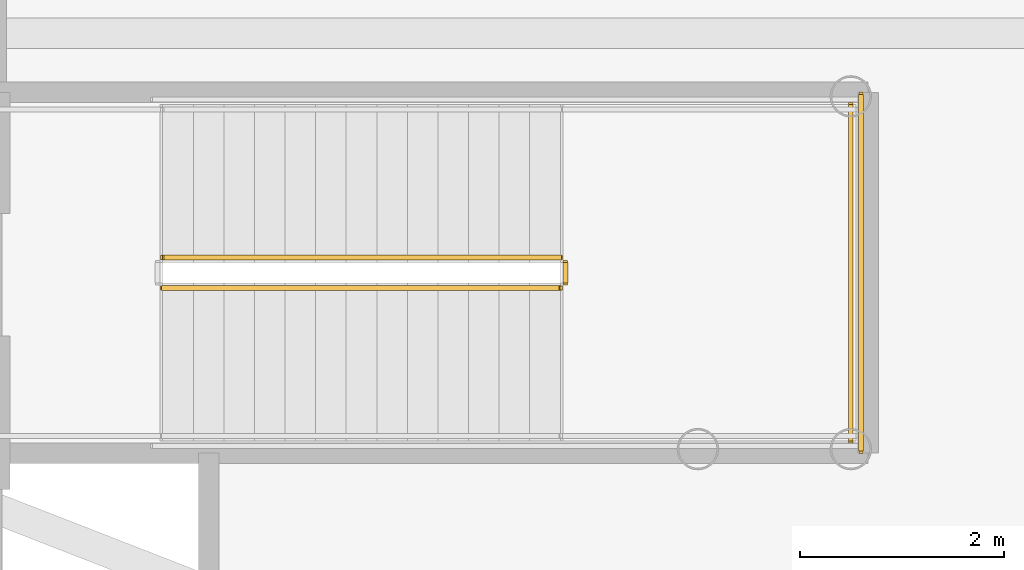
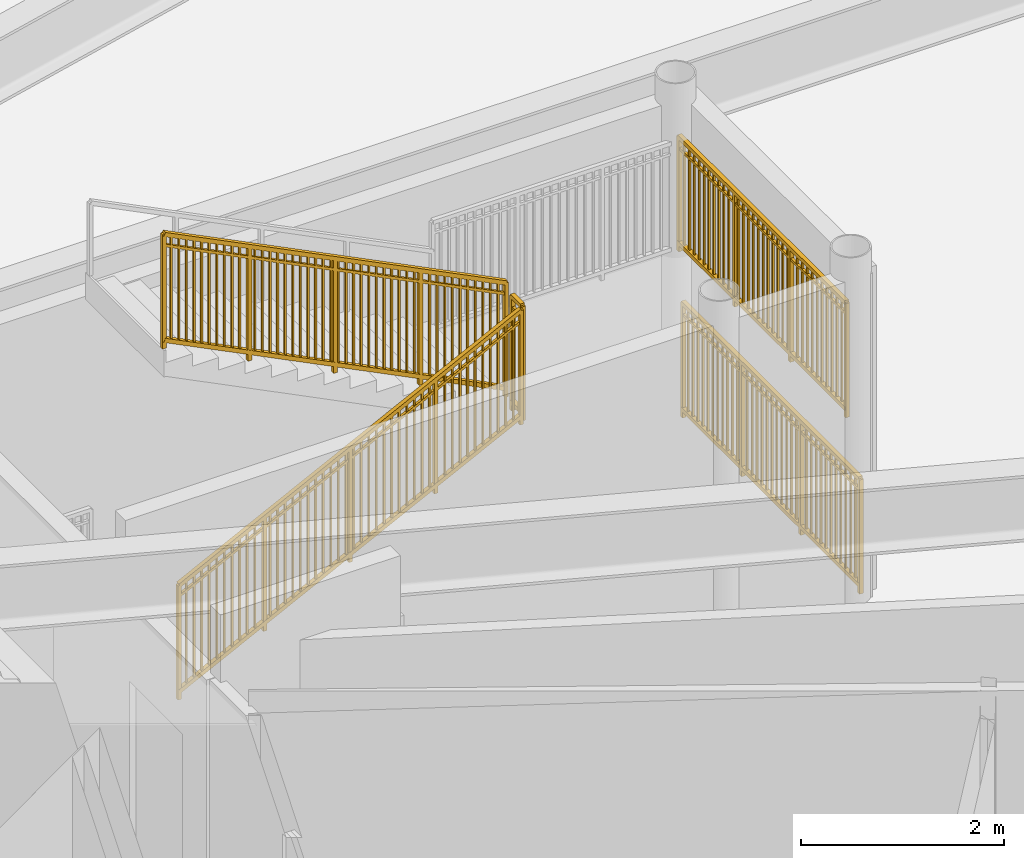
# One storey, part 26 of 27: 5 railings.
"""IFC4 building model written with IfcOpenShell, lengths in metres."""

from ifc_helpers import new_model, si_unit, direction, frame, origin, origin_2d, place, context, subcontext, project, spatial, rectangle, extrude, source, transform, mapped, material, type_object, element, save


model = new_model("IFC4")

# Units and contexts
model_context = context("Model", 3, precision=1e-05, world=origin(), true_north=direction((0.0, 1.0)))
body_context = subcontext(model_context, "Body", "Model", "MODEL_VIEW")
ifc_project = project(units=[si_unit("LENGTHUNIT", "METRE"), si_unit("AREAUNIT", "SQUARE_METRE"), si_unit("VOLUMEUNIT", "CUBIC_METRE"), si_unit("PLANEANGLEUNIT", "RADIAN"), si_unit("MASSUNIT", "GRAM", prefix="KILO")], contexts=[model_context])

# Site, building, storey
site_placement = place(None, origin())
site = spatial("IfcSite", under=ifc_project, at=site_placement, CompositionType="ELEMENT")
building_placement = place(site_placement, origin())
building = spatial("IfcBuilding", under=site, at=building_placement, Name="Linh Dai School and Residence Tower", CompositionType="ELEMENT")
storey_placement = place(building_placement, frame((0.0, 0.0, 18.60009765625)))
storey = spatial("IfcBuildingStorey", under=building, at=storey_placement, Name="L04", CompositionType="ELEMENT", Elevation=18.60009765625)

# Railings
ifc_material = material(Name="Structural Steel S355JR", Category="steel")
railing_type = type_object("IfcRailingType", Name="RL-ST-GUARD-1400", PredefinedType="GUARDRAIL", material=ifc_material)
shared_shape_1 = source(origin(), body_context, "Body", "SweptSolid", [
    extrude(rectangle(XDim=0.048095703125, YDim=0.048095703125, at=origin_2d()), frame((0.0, 0.0, 1.3759765625), z_axis=(0.894427191, 0.0, 0.4472135955), x_axis=(0.0, 1.0, 0.0)), (0.0, 0.0, 1.0), 4.360107421875),
    extrude(rectangle(XDim=0.048095703125, YDim=0.048095703125, at=origin_2d()), frame((0.0, 0.0, 0.10009765625), z_axis=(0.894427191, 0.0, 0.4472135955), x_axis=(0.0, 1.0, 0.0)), (0.0, 0.0, 1.0), 4.360107421875),
    extrude(rectangle(XDim=0.030029296875, YDim=0.030029296875, at=origin_2d()), frame((0.0, 0.0, 1.239990234375), z_axis=(0.894427191, 0.0, 0.4472135955), x_axis=(0.0, 1.0, 0.0)), (0.0, 0.0, 1.0), 4.360107421875),
    extrude(rectangle(XDim=0.02001953125, YDim=0.02001953125, at=origin_2d()), frame((0.086669921875, 0.0, 0.143310546875)), (0.0, 0.0, 1.0), 1.251708984375),
    extrude(rectangle(XDim=0.02001953125, YDim=0.02001953125, at=origin_2d()), frame((0.17333984375, 0.0, 0.186767578125)), (0.0, 0.0, 1.0), 1.251708984375),
    extrude(rectangle(XDim=0.02001953125, YDim=0.02001953125, at=origin_2d()), frame((0.260009765625, 0.0, 0.22998046875)), (0.0, 0.0, 1.0), 1.251708984375),
    extrude(rectangle(XDim=0.02001953125, YDim=0.02001953125, at=origin_2d()), frame((0.3466796875, 0.0, 0.2734375)), (0.0, 0.0, 1.0), 1.251708984375),
    extrude(rectangle(XDim=0.02001953125, YDim=0.02001953125, at=origin_2d()), frame((0.433349609375, 0.0, 0.316650390625)), (0.0, 0.0, 1.0), 1.251708984375),
    extrude(rectangle(XDim=0.02001953125, YDim=0.02001953125, at=origin_2d()), frame((0.52001953125, 0.0, 0.360107421875)), (0.0, 0.0, 1.0), 1.251708984375),
    extrude(rectangle(XDim=0.02001953125, YDim=0.02001953125, at=origin_2d()), frame((0.606689453125, 0.0, 0.4033203125)), (0.0, 0.0, 1.0), 1.251708984375),
    extrude(rectangle(XDim=0.02001953125, YDim=0.02001953125, at=origin_2d()), frame((0.693359375, 0.0, 0.44677734375)), (0.0, 0.0, 1.0), 1.251708984375),
    extrude(rectangle(XDim=0.02001953125, YDim=0.02001953125, at=origin_2d()), frame((0.780029296875, 0.0, 0.489990234375)), (0.0, 0.0, 1.0), 1.251708984375),
    extrude(rectangle(XDim=0.02001953125, YDim=0.02001953125, at=origin_2d()), frame((0.86669921875, 0.0, 0.533447265625)), (0.0, 0.0, 1.0), 1.251708984375),
    extrude(rectangle(XDim=0.02001953125, YDim=0.02001953125, at=origin_2d()), frame((1.0400390625, 0.0, 0.6201171875)), (0.0, 0.0, 1.0), 1.251708984375),
    extrude(rectangle(XDim=0.02001953125, YDim=0.02001953125, at=origin_2d()), frame((1.126708984375, 0.0, 0.663330078125)), (0.0, 0.0, 1.0), 1.251708984375),
    extrude(rectangle(XDim=0.02001953125, YDim=0.02001953125, at=origin_2d()), frame((1.21337890625, 0.0, 0.706787109375)), (0.0, 0.0, 1.0), 1.251708984375),
    extrude(rectangle(XDim=0.02001953125, YDim=0.02001953125, at=origin_2d()), frame((1.300048828125, 0.0, 0.75)), (0.0, 0.0, 1.0), 1.251708984375),
    extrude(rectangle(XDim=0.02001953125, YDim=0.02001953125, at=origin_2d()), frame((1.38671875, 0.0, 0.79345703125)), (0.0, 0.0, 1.0), 1.251708984375),
    extrude(rectangle(XDim=0.02001953125, YDim=0.02001953125, at=origin_2d()), frame((1.473388671875, 0.0, 0.836669921875)), (0.0, 0.0, 1.0), 1.251708984375),
    extrude(rectangle(XDim=0.02001953125, YDim=0.02001953125, at=origin_2d()), frame((1.56005859375, 0.0, 0.880126953125)), (0.0, 0.0, 1.0), 1.251708984375),
    extrude(rectangle(XDim=0.02001953125, YDim=0.02001953125, at=origin_2d()), frame((1.646728515625, 0.0, 0.92333984375)), (0.0, 0.0, 1.0), 1.251708984375),
    extrude(rectangle(XDim=0.02001953125, YDim=0.02001953125, at=origin_2d()), frame((1.7333984375, 0.0, 0.966796875)), (0.0, 0.0, 1.0), 1.251708984375),
    extrude(rectangle(XDim=0.02001953125, YDim=0.02001953125, at=origin_2d()), frame((1.820068359375, 0.0, 1.010009765625)), (0.0, 0.0, 1.0), 1.251708984375),
    extrude(rectangle(XDim=0.02001953125, YDim=0.02001953125, at=origin_2d()), frame((1.90673828125, 0.0, 1.053466796875)), (0.0, 0.0, 1.0), 1.251708984375),
    extrude(rectangle(XDim=0.02001953125, YDim=0.02001953125, at=origin_2d()), frame((1.9931640625, 0.0, 1.0966796875)), (0.0, 0.0, 1.0), 1.251708984375),
    extrude(rectangle(XDim=0.02001953125, YDim=0.02001953125, at=origin_2d()), frame((2.079833984375, 0.0, 1.14013671875)), (0.0, 0.0, 1.0), 1.251708984375),
    extrude(rectangle(XDim=0.02001953125, YDim=0.02001953125, at=origin_2d()), frame((2.16650390625, 0.0, 1.183349609375)), (0.0, 0.0, 1.0), 1.251708984375),
    extrude(rectangle(XDim=0.02001953125, YDim=0.02001953125, at=origin_2d()), frame((2.253173828125, 0.0, 1.226806640625)), (0.0, 0.0, 1.0), 1.251708984375),
    extrude(rectangle(XDim=0.02001953125, YDim=0.02001953125, at=origin_2d()), frame((2.33984375, 0.0, 1.27001953125)), (0.0, 0.0, 1.0), 1.251708984375),
    extrude(rectangle(XDim=0.02001953125, YDim=0.02001953125, at=origin_2d()), frame((2.426513671875, 0.0, 1.3134765625)), (0.0, 0.0, 1.0), 1.251708984375),
    extrude(rectangle(XDim=0.02001953125, YDim=0.02001953125, at=origin_2d()), frame((2.51318359375, 0.0, 1.356689453125)), (0.0, 0.0, 1.0), 1.251708984375),
    extrude(rectangle(XDim=0.02001953125, YDim=0.02001953125, at=origin_2d()), frame((2.599853515625, 0.0, 1.400146484375)), (0.0, 0.0, 1.0), 1.251708984375),
    extrude(rectangle(XDim=0.02001953125, YDim=0.02001953125, at=origin_2d()), frame((2.6865234375, 0.0, 1.443359375)), (0.0, 0.0, 1.0), 1.251708984375),
    extrude(rectangle(XDim=0.02001953125, YDim=0.02001953125, at=origin_2d()), frame((2.773193359375, 0.0, 1.48681640625)), (0.0, 0.0, 1.0), 1.251708984375),
    extrude(rectangle(XDim=0.02001953125, YDim=0.02001953125, at=origin_2d()), frame((2.85986328125, 0.0, 1.530029296875)), (0.0, 0.0, 1.0), 1.251708984375),
    extrude(rectangle(XDim=0.02001953125, YDim=0.02001953125, at=origin_2d()), frame((3.033203125, 0.0, 1.61669921875)), (0.0, 0.0, 1.0), 1.251708984375),
    extrude(rectangle(XDim=0.02001953125, YDim=0.02001953125, at=origin_2d()), frame((3.119873046875, 0.0, 1.66015625)), (0.0, 0.0, 1.0), 1.251708984375),
    extrude(rectangle(XDim=0.02001953125, YDim=0.02001953125, at=origin_2d()), frame((3.20654296875, 0.0, 1.703369140625)), (0.0, 0.0, 1.0), 1.251708984375),
    extrude(rectangle(XDim=0.02001953125, YDim=0.02001953125, at=origin_2d()), frame((3.293212890625, 0.0, 1.746826171875)), (0.0, 0.0, 1.0), 1.251708984375),
    extrude(rectangle(XDim=0.02001953125, YDim=0.02001953125, at=origin_2d()), frame((3.3798828125, 0.0, 1.7900390625)), (0.0, 0.0, 1.0), 1.251708984375),
    extrude(rectangle(XDim=0.02001953125, YDim=0.02001953125, at=origin_2d()), frame((3.466552734375, 0.0, 1.83349609375)), (0.0, 0.0, 1.0), 1.251708984375),
    extrude(rectangle(XDim=0.02001953125, YDim=0.02001953125, at=origin_2d()), frame((3.55322265625, 0.0, 1.876708984375)), (0.0, 0.0, 1.0), 1.251708984375),
    extrude(rectangle(XDim=0.02001953125, YDim=0.02001953125, at=origin_2d()), frame((3.639892578125, 0.0, 1.920166015625)), (0.0, 0.0, 1.0), 1.251708984375),
    extrude(rectangle(XDim=0.02001953125, YDim=0.02001953125, at=origin_2d()), frame((3.7265625, 0.0, 1.96337890625)), (0.0, 0.0, 1.0), 1.251708984375),
    extrude(rectangle(XDim=0.02001953125, YDim=0.02001953125, at=origin_2d()), frame((3.813232421875, 0.0, 2.0068359375)), (0.0, 0.0, 1.0), 1.251708984375),
    extrude(rectangle(XDim=0.0419921875, YDim=0.0419921875, at=origin_2d()), origin(), (0.0, 0.0, 1.0), 1.3759765625),
    extrude(rectangle(XDim=0.0419921875, YDim=0.0419921875, at=origin_2d()), frame((0.97509765625, 0.0, 0.487548828125)), (0.0, 0.0, 1.0), 1.3759765625),
    extrude(rectangle(XDim=0.0419921875, YDim=0.0419921875, at=origin_2d()), frame((1.949951171875, 0.0, 0.97509765625)), (0.0, 0.0, 1.0), 1.3759765625),
    extrude(rectangle(XDim=0.0419921875, YDim=0.0419921875, at=origin_2d()), frame((2.9248046875, 0.0, 1.46240234375)), (0.0, 0.0, 1.0), 1.3759765625),
    extrude(rectangle(XDim=0.0419921875, YDim=0.0419921875, at=origin_2d()), frame((3.89990234375, 0.0, 1.949951171875)), (0.0, 0.0, 1.0), 1.3759765625),
])
railing_1_placement = place(storey_placement, frame((49.60009765625, 24.5, 0.14990234375)))
element("IfcRailing", 1, at=railing_1_placement, inside=storey, type_object=railing_type, Name="L04 STS2 stair guard 1", PredefinedType="GUARDRAIL", context=body_context, shape_type="MappedRepresentation", body=[
    mapped(shared_shape_1, transform((0.0, 0.0, 0.0), x_axis=(1.0, 0.0, 0.0), y_axis=(0.0, 1.0, 0.0), z_axis=(0.0, 0.0, 1.0), scale=1.0)),
])
shared_shape_2 = source(origin(), body_context, "Body", "SweptSolid", [
    extrude(rectangle(XDim=0.048095703125, YDim=0.048095703125, at=origin_2d()), frame((0.0, 0.0, 1.3759765625), z_axis=(-0.894427191, 0.0, 0.4472135955), x_axis=(0.0, -1.0, 0.0)), (0.0, 0.0, 1.0), 4.360107421875),
    extrude(rectangle(XDim=0.048095703125, YDim=0.048095703125, at=origin_2d()), frame((0.0, 0.0, 0.10009765625), z_axis=(-0.894427191, 0.0, 0.4472135955), x_axis=(0.0, -1.0, 0.0)), (0.0, 0.0, 1.0), 4.360107421875),
    extrude(rectangle(XDim=0.030029296875, YDim=0.030029296875, at=origin_2d()), frame((0.0, 0.0, 1.239990234375), z_axis=(-0.894427191, 0.0, 0.4472135955), x_axis=(0.0, -1.0, 0.0)), (0.0, 0.0, 1.0), 4.360107421875),
    extrude(rectangle(XDim=0.02001953125, YDim=0.02001953125, at=origin_2d()), frame((-0.086669921875, 0.0, 0.143310546875)), (0.0, 0.0, 1.0), 1.251708984375),
    extrude(rectangle(XDim=0.02001953125, YDim=0.02001953125, at=origin_2d()), frame((-0.17333984375, 0.0, 0.186767578125)), (0.0, 0.0, 1.0), 1.251708984375),
    extrude(rectangle(XDim=0.02001953125, YDim=0.02001953125, at=origin_2d()), frame((-0.260009765625, 0.0, 0.22998046875)), (0.0, 0.0, 1.0), 1.251708984375),
    extrude(rectangle(XDim=0.02001953125, YDim=0.02001953125, at=origin_2d()), frame((-0.3466796875, 0.0, 0.2734375)), (0.0, 0.0, 1.0), 1.251708984375),
    extrude(rectangle(XDim=0.02001953125, YDim=0.02001953125, at=origin_2d()), frame((-0.433349609375, 0.0, 0.316650390625)), (0.0, 0.0, 1.0), 1.251708984375),
    extrude(rectangle(XDim=0.02001953125, YDim=0.02001953125, at=origin_2d()), frame((-0.52001953125, 0.0, 0.360107421875)), (0.0, 0.0, 1.0), 1.251708984375),
    extrude(rectangle(XDim=0.02001953125, YDim=0.02001953125, at=origin_2d()), frame((-0.606689453125, 0.0, 0.4033203125)), (0.0, 0.0, 1.0), 1.251708984375),
    extrude(rectangle(XDim=0.02001953125, YDim=0.02001953125, at=origin_2d()), frame((-0.693359375, 0.0, 0.44677734375)), (0.0, 0.0, 1.0), 1.251708984375),
    extrude(rectangle(XDim=0.02001953125, YDim=0.02001953125, at=origin_2d()), frame((-0.780029296875, 0.0, 0.489990234375)), (0.0, 0.0, 1.0), 1.251708984375),
    extrude(rectangle(XDim=0.02001953125, YDim=0.02001953125, at=origin_2d()), frame((-0.86669921875, 0.0, 0.533447265625)), (0.0, 0.0, 1.0), 1.251708984375),
    extrude(rectangle(XDim=0.02001953125, YDim=0.02001953125, at=origin_2d()), frame((-1.0400390625, 0.0, 0.6201171875)), (0.0, 0.0, 1.0), 1.251708984375),
    extrude(rectangle(XDim=0.02001953125, YDim=0.02001953125, at=origin_2d()), frame((-1.126708984375, 0.0, 0.663330078125)), (0.0, 0.0, 1.0), 1.251708984375),
    extrude(rectangle(XDim=0.02001953125, YDim=0.02001953125, at=origin_2d()), frame((-1.21337890625, 0.0, 0.706787109375)), (0.0, 0.0, 1.0), 1.251708984375),
    extrude(rectangle(XDim=0.02001953125, YDim=0.02001953125, at=origin_2d()), frame((-1.300048828125, 0.0, 0.75)), (0.0, 0.0, 1.0), 1.251708984375),
    extrude(rectangle(XDim=0.02001953125, YDim=0.02001953125, at=origin_2d()), frame((-1.38671875, 0.0, 0.79345703125)), (0.0, 0.0, 1.0), 1.251708984375),
    extrude(rectangle(XDim=0.02001953125, YDim=0.02001953125, at=origin_2d()), frame((-1.473388671875, 0.0, 0.836669921875)), (0.0, 0.0, 1.0), 1.251708984375),
    extrude(rectangle(XDim=0.02001953125, YDim=0.02001953125, at=origin_2d()), frame((-1.56005859375, 0.0, 0.880126953125)), (0.0, 0.0, 1.0), 1.251708984375),
    extrude(rectangle(XDim=0.02001953125, YDim=0.02001953125, at=origin_2d()), frame((-1.646728515625, 0.0, 0.92333984375)), (0.0, 0.0, 1.0), 1.251708984375),
    extrude(rectangle(XDim=0.02001953125, YDim=0.02001953125, at=origin_2d()), frame((-1.7333984375, 0.0, 0.966796875)), (0.0, 0.0, 1.0), 1.251708984375),
    extrude(rectangle(XDim=0.02001953125, YDim=0.02001953125, at=origin_2d()), frame((-1.820068359375, 0.0, 1.010009765625)), (0.0, 0.0, 1.0), 1.251708984375),
    extrude(rectangle(XDim=0.02001953125, YDim=0.02001953125, at=origin_2d()), frame((-1.90673828125, 0.0, 1.053466796875)), (0.0, 0.0, 1.0), 1.251708984375),
    extrude(rectangle(XDim=0.02001953125, YDim=0.02001953125, at=origin_2d()), frame((-1.9931640625, 0.0, 1.0966796875)), (0.0, 0.0, 1.0), 1.251708984375),
    extrude(rectangle(XDim=0.02001953125, YDim=0.02001953125, at=origin_2d()), frame((-2.079833984375, 0.0, 1.14013671875)), (0.0, 0.0, 1.0), 1.251708984375),
    extrude(rectangle(XDim=0.02001953125, YDim=0.02001953125, at=origin_2d()), frame((-2.16650390625, 0.0, 1.183349609375)), (0.0, 0.0, 1.0), 1.251708984375),
    extrude(rectangle(XDim=0.02001953125, YDim=0.02001953125, at=origin_2d()), frame((-2.253173828125, 0.0, 1.226806640625)), (0.0, 0.0, 1.0), 1.251708984375),
    extrude(rectangle(XDim=0.02001953125, YDim=0.02001953125, at=origin_2d()), frame((-2.33984375, 0.0, 1.27001953125)), (0.0, 0.0, 1.0), 1.251708984375),
    extrude(rectangle(XDim=0.02001953125, YDim=0.02001953125, at=origin_2d()), frame((-2.426513671875, 0.0, 1.3134765625)), (0.0, 0.0, 1.0), 1.251708984375),
    extrude(rectangle(XDim=0.02001953125, YDim=0.02001953125, at=origin_2d()), frame((-2.51318359375, 0.0, 1.356689453125)), (0.0, 0.0, 1.0), 1.251708984375),
    extrude(rectangle(XDim=0.02001953125, YDim=0.02001953125, at=origin_2d()), frame((-2.599853515625, 0.0, 1.400146484375)), (0.0, 0.0, 1.0), 1.251708984375),
    extrude(rectangle(XDim=0.02001953125, YDim=0.02001953125, at=origin_2d()), frame((-2.6865234375, 0.0, 1.443359375)), (0.0, 0.0, 1.0), 1.251708984375),
    extrude(rectangle(XDim=0.02001953125, YDim=0.02001953125, at=origin_2d()), frame((-2.773193359375, 0.0, 1.48681640625)), (0.0, 0.0, 1.0), 1.251708984375),
    extrude(rectangle(XDim=0.02001953125, YDim=0.02001953125, at=origin_2d()), frame((-2.85986328125, 0.0, 1.530029296875)), (0.0, 0.0, 1.0), 1.251708984375),
    extrude(rectangle(XDim=0.02001953125, YDim=0.02001953125, at=origin_2d()), frame((-3.033203125, 0.0, 1.61669921875)), (0.0, 0.0, 1.0), 1.251708984375),
    extrude(rectangle(XDim=0.02001953125, YDim=0.02001953125, at=origin_2d()), frame((-3.119873046875, 0.0, 1.66015625)), (0.0, 0.0, 1.0), 1.251708984375),
    extrude(rectangle(XDim=0.02001953125, YDim=0.02001953125, at=origin_2d()), frame((-3.20654296875, 0.0, 1.703369140625)), (0.0, 0.0, 1.0), 1.251708984375),
    extrude(rectangle(XDim=0.02001953125, YDim=0.02001953125, at=origin_2d()), frame((-3.293212890625, 0.0, 1.746826171875)), (0.0, 0.0, 1.0), 1.251708984375),
    extrude(rectangle(XDim=0.02001953125, YDim=0.02001953125, at=origin_2d()), frame((-3.3798828125, 0.0, 1.7900390625)), (0.0, 0.0, 1.0), 1.251708984375),
    extrude(rectangle(XDim=0.02001953125, YDim=0.02001953125, at=origin_2d()), frame((-3.466552734375, 0.0, 1.83349609375)), (0.0, 0.0, 1.0), 1.251708984375),
    extrude(rectangle(XDim=0.02001953125, YDim=0.02001953125, at=origin_2d()), frame((-3.55322265625, 0.0, 1.876708984375)), (0.0, 0.0, 1.0), 1.251708984375),
    extrude(rectangle(XDim=0.02001953125, YDim=0.02001953125, at=origin_2d()), frame((-3.639892578125, 0.0, 1.920166015625)), (0.0, 0.0, 1.0), 1.251708984375),
    extrude(rectangle(XDim=0.02001953125, YDim=0.02001953125, at=origin_2d()), frame((-3.7265625, 0.0, 1.96337890625)), (0.0, 0.0, 1.0), 1.251708984375),
    extrude(rectangle(XDim=0.02001953125, YDim=0.02001953125, at=origin_2d()), frame((-3.813232421875, 0.0, 2.0068359375)), (0.0, 0.0, 1.0), 1.251708984375),
    extrude(rectangle(XDim=0.0419921875, YDim=0.0419921875, at=origin_2d()), origin(), (0.0, 0.0, 1.0), 1.3759765625),
    extrude(rectangle(XDim=0.0419921875, YDim=0.0419921875, at=origin_2d()), frame((-0.97509765625, 0.0, 0.487548828125)), (0.0, 0.0, 1.0), 1.3759765625),
    extrude(rectangle(XDim=0.0419921875, YDim=0.0419921875, at=origin_2d()), frame((-1.949951171875, 0.0, 0.97509765625)), (0.0, 0.0, 1.0), 1.3759765625),
    extrude(rectangle(XDim=0.0419921875, YDim=0.0419921875, at=origin_2d()), frame((-2.9248046875, 0.0, 1.46240234375)), (0.0, 0.0, 1.0), 1.3759765625),
    extrude(rectangle(XDim=0.0419921875, YDim=0.0419921875, at=origin_2d()), frame((-3.89990234375, 0.0, 1.949951171875)), (0.0, 0.0, 1.0), 1.3759765625),
])
railing_2_placement = place(storey_placement, frame((53.5, 24.800048828125, 2.25)))
element("IfcRailing", 2, at=railing_2_placement, inside=storey, type_object=railing_type, Name="L04 STS2 stair guard 6", PredefinedType="GUARDRAIL", context=body_context, shape_type="MappedRepresentation", body=[
    mapped(shared_shape_2, transform((0.0, 0.0, 0.0), x_axis=(1.0, 0.0, 0.0), y_axis=(0.0, 1.0, 0.0), z_axis=(0.0, 0.0, 1.0), scale=1.0)),
])
shared_shape_3 = source(origin(), body_context, "Body", "SweptSolid", [
    extrude(rectangle(XDim=0.048095703125, YDim=0.048095703125, at=origin_2d()), frame((0.0, 0.0, 1.3759765625), z_axis=(0.0, 1.0, 0.0), x_axis=(-1.0, 0.0, 0.0)), (0.0, 0.0, 1.0), 0.199951171875),
    extrude(rectangle(XDim=0.048095703125, YDim=0.048095703125, at=origin_2d()), frame((0.0, 0.0, 0.10009765625), z_axis=(0.0, 1.0, 0.0), x_axis=(-1.0, 0.0, 0.0)), (0.0, 0.0, 1.0), 0.199951171875),
    extrude(rectangle(XDim=0.030029296875, YDim=0.030029296875, at=origin_2d()), frame((0.0, 0.0, 1.239990234375), z_axis=(0.0, 1.0, 0.0), x_axis=(-1.0, 0.0, 0.0)), (0.0, 0.0, 1.0), 0.199951171875),
    extrude(rectangle(XDim=0.0419921875, YDim=0.0419921875, at=origin_2d()), origin(), (0.0, 0.0, 1.0), 1.3759765625),
    extrude(rectangle(XDim=0.0419921875, YDim=0.0419921875, at=origin_2d()), frame((0.0, 0.199951171875, 0.0)), (0.0, 0.0, 1.0), 1.3759765625),
])
railing_3_placement = place(storey_placement, frame((53.550048828125, 24.550048828125, 2.099853515625)))
element("IfcRailing", 3, at=railing_3_placement, inside=storey, type_object=railing_type, Name="L04 STS2 stair guard 2", PredefinedType="GUARDRAIL", context=body_context, shape_type="MappedRepresentation", body=[
    mapped(shared_shape_3, transform((0.0, 0.0, 0.0), x_axis=(1.0, 0.0, 0.0), y_axis=(0.0, 1.0, 0.0), z_axis=(0.0, 0.0, 1.0), scale=1.0)),
])
shared_shape_4 = source(origin(), body_context, "Body", "SweptSolid", [
    extrude(rectangle(XDim=0.048095703125, YDim=0.048095703125, at=origin_2d()), frame((0.0, 0.0, 1.3759765625), z_axis=(0.0, 1.0, 0.0), x_axis=(-1.0, 0.0, 0.0)), (0.0, 0.0, 1.0), 3.300048828125),
    extrude(rectangle(XDim=0.048095703125, YDim=0.048095703125, at=origin_2d()), frame((0.0, 0.0, 0.10009765625), z_axis=(0.0, 1.0, 0.0), x_axis=(-1.0, 0.0, 0.0)), (0.0, 0.0, 1.0), 3.300048828125),
    extrude(rectangle(XDim=0.030029296875, YDim=0.030029296875, at=origin_2d()), frame((0.0, 0.0, 1.239990234375), z_axis=(0.0, 1.0, 0.0), x_axis=(-1.0, 0.0, 0.0)), (0.0, 0.0, 1.0), 3.300048828125),
    extrude(rectangle(XDim=0.02001953125, YDim=0.02001953125, at=origin_2d()), frame((0.0, 0.09716796875, 0.10009765625)), (0.0, 0.0, 1.0), 1.251708984375),
    extrude(rectangle(XDim=0.02001953125, YDim=0.02001953125, at=origin_2d()), frame((0.0, 0.194091796875, 0.10009765625)), (0.0, 0.0, 1.0), 1.251708984375),
    extrude(rectangle(XDim=0.02001953125, YDim=0.02001953125, at=origin_2d()), frame((0.0, 0.291259765625, 0.10009765625)), (0.0, 0.0, 1.0), 1.251708984375),
    extrude(rectangle(XDim=0.02001953125, YDim=0.02001953125, at=origin_2d()), frame((0.0, 0.38818359375, 0.10009765625)), (0.0, 0.0, 1.0), 1.251708984375),
    extrude(rectangle(XDim=0.02001953125, YDim=0.02001953125, at=origin_2d()), frame((0.0, 0.4853515625, 0.10009765625)), (0.0, 0.0, 1.0), 1.251708984375),
    extrude(rectangle(XDim=0.02001953125, YDim=0.02001953125, at=origin_2d()), frame((0.0, 0.582275390625, 0.10009765625)), (0.0, 0.0, 1.0), 1.251708984375),
    extrude(rectangle(XDim=0.02001953125, YDim=0.02001953125, at=origin_2d()), frame((0.0, 0.679443359375, 0.10009765625)), (0.0, 0.0, 1.0), 1.251708984375),
    extrude(rectangle(XDim=0.02001953125, YDim=0.02001953125, at=origin_2d()), frame((0.0, 0.7763671875, 0.10009765625)), (0.0, 0.0, 1.0), 1.251708984375),
    extrude(rectangle(XDim=0.02001953125, YDim=0.02001953125, at=origin_2d()), frame((0.0, 0.87353515625, 0.10009765625)), (0.0, 0.0, 1.0), 1.251708984375),
    extrude(rectangle(XDim=0.02001953125, YDim=0.02001953125, at=origin_2d()), frame((0.0, 0.970703125, 0.10009765625)), (0.0, 0.0, 1.0), 1.251708984375),
    extrude(rectangle(XDim=0.02001953125, YDim=0.02001953125, at=origin_2d()), frame((0.0, 1.164794921875, 0.10009765625)), (0.0, 0.0, 1.0), 1.251708984375),
    extrude(rectangle(XDim=0.02001953125, YDim=0.02001953125, at=origin_2d()), frame((0.0, 1.26171875, 0.10009765625)), (0.0, 0.0, 1.0), 1.251708984375),
    extrude(rectangle(XDim=0.02001953125, YDim=0.02001953125, at=origin_2d()), frame((0.0, 1.35888671875, 0.10009765625)), (0.0, 0.0, 1.0), 1.251708984375),
    extrude(rectangle(XDim=0.02001953125, YDim=0.02001953125, at=origin_2d()), frame((0.0, 1.455810546875, 0.10009765625)), (0.0, 0.0, 1.0), 1.251708984375),
    extrude(rectangle(XDim=0.02001953125, YDim=0.02001953125, at=origin_2d()), frame((0.0, 1.552978515625, 0.10009765625)), (0.0, 0.0, 1.0), 1.251708984375),
    extrude(rectangle(XDim=0.02001953125, YDim=0.02001953125, at=origin_2d()), frame((0.0, 1.64990234375, 0.10009765625)), (0.0, 0.0, 1.0), 1.251708984375),
    extrude(rectangle(XDim=0.02001953125, YDim=0.02001953125, at=origin_2d()), frame((0.0, 1.7470703125, 0.10009765625)), (0.0, 0.0, 1.0), 1.251708984375),
    extrude(rectangle(XDim=0.02001953125, YDim=0.02001953125, at=origin_2d()), frame((0.0, 1.84423828125, 0.10009765625)), (0.0, 0.0, 1.0), 1.251708984375),
    extrude(rectangle(XDim=0.02001953125, YDim=0.02001953125, at=origin_2d()), frame((0.0, 1.941162109375, 0.10009765625)), (0.0, 0.0, 1.0), 1.251708984375),
    extrude(rectangle(XDim=0.02001953125, YDim=0.02001953125, at=origin_2d()), frame((0.0, 2.038330078125, 0.10009765625)), (0.0, 0.0, 1.0), 1.251708984375),
    extrude(rectangle(XDim=0.02001953125, YDim=0.02001953125, at=origin_2d()), frame((0.0, 2.13525390625, 0.10009765625)), (0.0, 0.0, 1.0), 1.251708984375),
    extrude(rectangle(XDim=0.02001953125, YDim=0.02001953125, at=origin_2d()), frame((0.0, 2.329345703125, 0.10009765625)), (0.0, 0.0, 1.0), 1.251708984375),
    extrude(rectangle(XDim=0.02001953125, YDim=0.02001953125, at=origin_2d()), frame((0.0, 2.426513671875, 0.10009765625)), (0.0, 0.0, 1.0), 1.251708984375),
    extrude(rectangle(XDim=0.02001953125, YDim=0.02001953125, at=origin_2d()), frame((0.0, 2.523681640625, 0.10009765625)), (0.0, 0.0, 1.0), 1.251708984375),
    extrude(rectangle(XDim=0.02001953125, YDim=0.02001953125, at=origin_2d()), frame((0.0, 2.62060546875, 0.10009765625)), (0.0, 0.0, 1.0), 1.251708984375),
    extrude(rectangle(XDim=0.02001953125, YDim=0.02001953125, at=origin_2d()), frame((0.0, 2.7177734375, 0.10009765625)), (0.0, 0.0, 1.0), 1.251708984375),
    extrude(rectangle(XDim=0.02001953125, YDim=0.02001953125, at=origin_2d()), frame((0.0, 2.814697265625, 0.10009765625)), (0.0, 0.0, 1.0), 1.251708984375),
    extrude(rectangle(XDim=0.02001953125, YDim=0.02001953125, at=origin_2d()), frame((0.0, 2.911865234375, 0.10009765625)), (0.0, 0.0, 1.0), 1.251708984375),
    extrude(rectangle(XDim=0.02001953125, YDim=0.02001953125, at=origin_2d()), frame((0.0, 3.0087890625, 0.10009765625)), (0.0, 0.0, 1.0), 1.251708984375),
    extrude(rectangle(XDim=0.02001953125, YDim=0.02001953125, at=origin_2d()), frame((0.0, 3.10595703125, 0.10009765625)), (0.0, 0.0, 1.0), 1.251708984375),
    extrude(rectangle(XDim=0.02001953125, YDim=0.02001953125, at=origin_2d()), frame((0.0, 3.202880859375, 0.10009765625)), (0.0, 0.0, 1.0), 1.251708984375),
    extrude(rectangle(XDim=0.0419921875, YDim=0.0419921875, at=origin_2d()), origin(), (0.0, 0.0, 1.0), 1.3759765625),
    extrude(rectangle(XDim=0.0419921875, YDim=0.0419921875, at=origin_2d()), frame((0.0, 1.10009765625, 0.0)), (0.0, 0.0, 1.0), 1.3759765625),
    extrude(rectangle(XDim=0.0419921875, YDim=0.0419921875, at=origin_2d()), frame((0.0, 2.199951171875, 0.0)), (0.0, 0.0, 1.0), 1.3759765625),
    extrude(rectangle(XDim=0.0419921875, YDim=0.0419921875, at=origin_2d()), frame((0.0, 3.300048828125, 0.0)), (0.0, 0.0, 1.0), 1.3759765625),
])
railing_4_placement = place(storey_placement, frame((56.35009765625, 23.0, 2.099853515625)))
element("IfcRailing", 4, at=railing_4_placement, inside=storey, type_object=railing_type, Name="L04 STS2 stair guard 5", PredefinedType="GUARDRAIL", context=body_context, shape_type="MappedRepresentation", body=[
    mapped(shared_shape_4, transform((0.0, 0.0, 0.0), x_axis=(1.0, 0.0, 0.0), y_axis=(0.0, 1.0, 0.0), z_axis=(0.0, 0.0, 1.0), scale=1.0)),
])
shared_shape_5 = source(origin(), body_context, "Body", "SweptSolid", [
    extrude(rectangle(XDim=0.048095703125, YDim=0.048095703125, at=origin_2d()), frame((0.0, 0.0, 1.3759765625), z_axis=(0.0, 1.0, 0.0), x_axis=(-1.0, 0.0, 0.0)), (0.0, 0.0, 1.0), 3.5),
    extrude(rectangle(XDim=0.048095703125, YDim=0.048095703125, at=origin_2d()), frame((0.0, 0.0, 0.10009765625), z_axis=(0.0, 1.0, 0.0), x_axis=(-1.0, 0.0, 0.0)), (0.0, 0.0, 1.0), 3.5),
    extrude(rectangle(XDim=0.030029296875, YDim=0.030029296875, at=origin_2d()), frame((0.0, 0.0, 1.239990234375), z_axis=(0.0, 1.0, 0.0), x_axis=(-1.0, 0.0, 0.0)), (0.0, 0.0, 1.0), 3.5),
    extrude(rectangle(XDim=0.02001953125, YDim=0.02001953125, at=origin_2d()), frame((0.0, 0.09716796875, 0.10009765625)), (0.0, 0.0, 1.0), 1.251708984375),
    extrude(rectangle(XDim=0.02001953125, YDim=0.02001953125, at=origin_2d()), frame((0.0, 0.1943359375, 0.10009765625)), (0.0, 0.0, 1.0), 1.251708984375),
    extrude(rectangle(XDim=0.02001953125, YDim=0.02001953125, at=origin_2d()), frame((0.0, 0.291748046875, 0.10009765625)), (0.0, 0.0, 1.0), 1.251708984375),
    extrude(rectangle(XDim=0.02001953125, YDim=0.02001953125, at=origin_2d()), frame((0.0, 0.388916015625, 0.10009765625)), (0.0, 0.0, 1.0), 1.251708984375),
    extrude(rectangle(XDim=0.02001953125, YDim=0.02001953125, at=origin_2d()), frame((0.0, 0.486083984375, 0.10009765625)), (0.0, 0.0, 1.0), 1.251708984375),
    extrude(rectangle(XDim=0.02001953125, YDim=0.02001953125, at=origin_2d()), frame((0.0, 0.583251953125, 0.10009765625)), (0.0, 0.0, 1.0), 1.251708984375),
    extrude(rectangle(XDim=0.02001953125, YDim=0.02001953125, at=origin_2d()), frame((0.0, 0.6806640625, 0.10009765625)), (0.0, 0.0, 1.0), 1.251708984375),
    extrude(rectangle(XDim=0.02001953125, YDim=0.02001953125, at=origin_2d()), frame((0.0, 0.77783203125, 0.10009765625)), (0.0, 0.0, 1.0), 1.251708984375),
    extrude(rectangle(XDim=0.02001953125, YDim=0.02001953125, at=origin_2d()), frame((0.0, 0.875, 0.10009765625)), (0.0, 0.0, 1.0), 1.251708984375),
    extrude(rectangle(XDim=0.02001953125, YDim=0.02001953125, at=origin_2d()), frame((0.0, 0.97216796875, 0.10009765625)), (0.0, 0.0, 1.0), 1.251708984375),
    extrude(rectangle(XDim=0.02001953125, YDim=0.02001953125, at=origin_2d()), frame((0.0, 1.0693359375, 0.10009765625)), (0.0, 0.0, 1.0), 1.251708984375),
    extrude(rectangle(XDim=0.02001953125, YDim=0.02001953125, at=origin_2d()), frame((0.0, 1.263916015625, 0.10009765625)), (0.0, 0.0, 1.0), 1.251708984375),
    extrude(rectangle(XDim=0.02001953125, YDim=0.02001953125, at=origin_2d()), frame((0.0, 1.361083984375, 0.10009765625)), (0.0, 0.0, 1.0), 1.251708984375),
    extrude(rectangle(XDim=0.02001953125, YDim=0.02001953125, at=origin_2d()), frame((0.0, 1.458251953125, 0.10009765625)), (0.0, 0.0, 1.0), 1.251708984375),
    extrude(rectangle(XDim=0.02001953125, YDim=0.02001953125, at=origin_2d()), frame((0.0, 1.5556640625, 0.10009765625)), (0.0, 0.0, 1.0), 1.251708984375),
    extrude(rectangle(XDim=0.02001953125, YDim=0.02001953125, at=origin_2d()), frame((0.0, 1.65283203125, 0.10009765625)), (0.0, 0.0, 1.0), 1.251708984375),
    extrude(rectangle(XDim=0.02001953125, YDim=0.02001953125, at=origin_2d()), frame((0.0, 1.75, 0.10009765625)), (0.0, 0.0, 1.0), 1.251708984375),
    extrude(rectangle(XDim=0.02001953125, YDim=0.02001953125, at=origin_2d()), frame((0.0, 1.84716796875, 0.10009765625)), (0.0, 0.0, 1.0), 1.251708984375),
    extrude(rectangle(XDim=0.02001953125, YDim=0.02001953125, at=origin_2d()), frame((0.0, 1.9443359375, 0.10009765625)), (0.0, 0.0, 1.0), 1.251708984375),
    extrude(rectangle(XDim=0.02001953125, YDim=0.02001953125, at=origin_2d()), frame((0.0, 2.041748046875, 0.10009765625)), (0.0, 0.0, 1.0), 1.251708984375),
    extrude(rectangle(XDim=0.02001953125, YDim=0.02001953125, at=origin_2d()), frame((0.0, 2.138916015625, 0.10009765625)), (0.0, 0.0, 1.0), 1.251708984375),
    extrude(rectangle(XDim=0.02001953125, YDim=0.02001953125, at=origin_2d()), frame((0.0, 2.236083984375, 0.10009765625)), (0.0, 0.0, 1.0), 1.251708984375),
    extrude(rectangle(XDim=0.02001953125, YDim=0.02001953125, at=origin_2d()), frame((0.0, 2.4306640625, 0.10009765625)), (0.0, 0.0, 1.0), 1.251708984375),
    extrude(rectangle(XDim=0.02001953125, YDim=0.02001953125, at=origin_2d()), frame((0.0, 2.52783203125, 0.10009765625)), (0.0, 0.0, 1.0), 1.251708984375),
    extrude(rectangle(XDim=0.02001953125, YDim=0.02001953125, at=origin_2d()), frame((0.0, 2.625, 0.10009765625)), (0.0, 0.0, 1.0), 1.251708984375),
    extrude(rectangle(XDim=0.02001953125, YDim=0.02001953125, at=origin_2d()), frame((0.0, 2.72216796875, 0.10009765625)), (0.0, 0.0, 1.0), 1.251708984375),
    extrude(rectangle(XDim=0.02001953125, YDim=0.02001953125, at=origin_2d()), frame((0.0, 2.8193359375, 0.10009765625)), (0.0, 0.0, 1.0), 1.251708984375),
    extrude(rectangle(XDim=0.02001953125, YDim=0.02001953125, at=origin_2d()), frame((0.0, 2.916748046875, 0.10009765625)), (0.0, 0.0, 1.0), 1.251708984375),
    extrude(rectangle(XDim=0.02001953125, YDim=0.02001953125, at=origin_2d()), frame((0.0, 3.013916015625, 0.10009765625)), (0.0, 0.0, 1.0), 1.251708984375),
    extrude(rectangle(XDim=0.02001953125, YDim=0.02001953125, at=origin_2d()), frame((0.0, 3.111083984375, 0.10009765625)), (0.0, 0.0, 1.0), 1.251708984375),
    extrude(rectangle(XDim=0.02001953125, YDim=0.02001953125, at=origin_2d()), frame((0.0, 3.208251953125, 0.10009765625)), (0.0, 0.0, 1.0), 1.251708984375),
    extrude(rectangle(XDim=0.02001953125, YDim=0.02001953125, at=origin_2d()), frame((0.0, 3.3056640625, 0.10009765625)), (0.0, 0.0, 1.0), 1.251708984375),
    extrude(rectangle(XDim=0.02001953125, YDim=0.02001953125, at=origin_2d()), frame((0.0, 3.40283203125, 0.10009765625)), (0.0, 0.0, 1.0), 1.251708984375),
    extrude(rectangle(XDim=0.0419921875, YDim=0.0419921875, at=origin_2d()), origin(), (0.0, 0.0, 1.0), 1.3759765625),
    extrude(rectangle(XDim=0.0419921875, YDim=0.0419921875, at=origin_2d()), frame((0.0, 1.166748046875, 0.0)), (0.0, 0.0, 1.0), 1.3759765625),
    extrude(rectangle(XDim=0.0419921875, YDim=0.0419921875, at=origin_2d()), frame((0.0, 2.333251953125, 0.0)), (0.0, 0.0, 1.0), 1.3759765625),
    extrude(rectangle(XDim=0.0419921875, YDim=0.0419921875, at=origin_2d()), frame((0.0, 3.5, 0.0)), (0.0, 0.0, 1.0), 1.3759765625),
])
railing_5_placement = place(storey_placement, frame((56.449951171875, 22.89990234375, 0.0)))
element("IfcRailing", 5, at=railing_5_placement, inside=storey, type_object=railing_type, Name="L04 STS2 stair guard 12", PredefinedType="GUARDRAIL", context=body_context, shape_type="MappedRepresentation", body=[
    mapped(shared_shape_5, transform((0.0, 0.0, 0.0), x_axis=(1.0, 0.0, 0.0), y_axis=(0.0, 1.0, 0.0), z_axis=(0.0, 0.0, 1.0), scale=1.0)),
])

save(model, "model.ifc")
